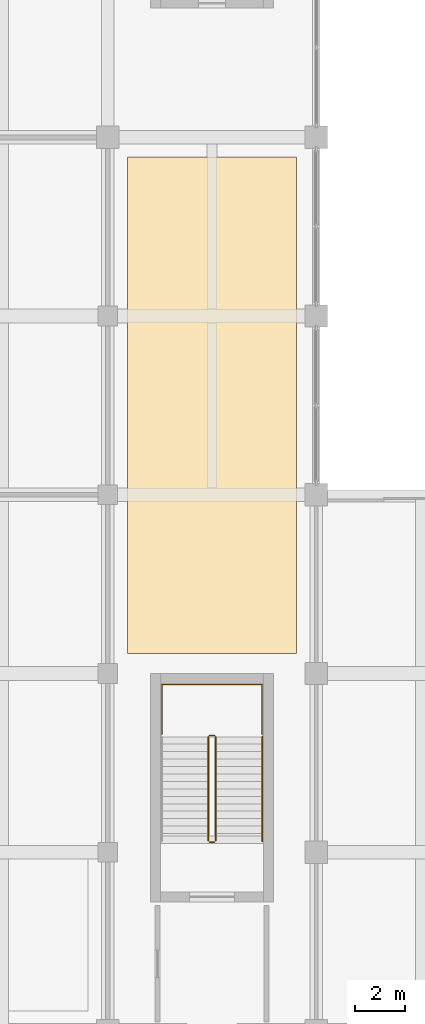
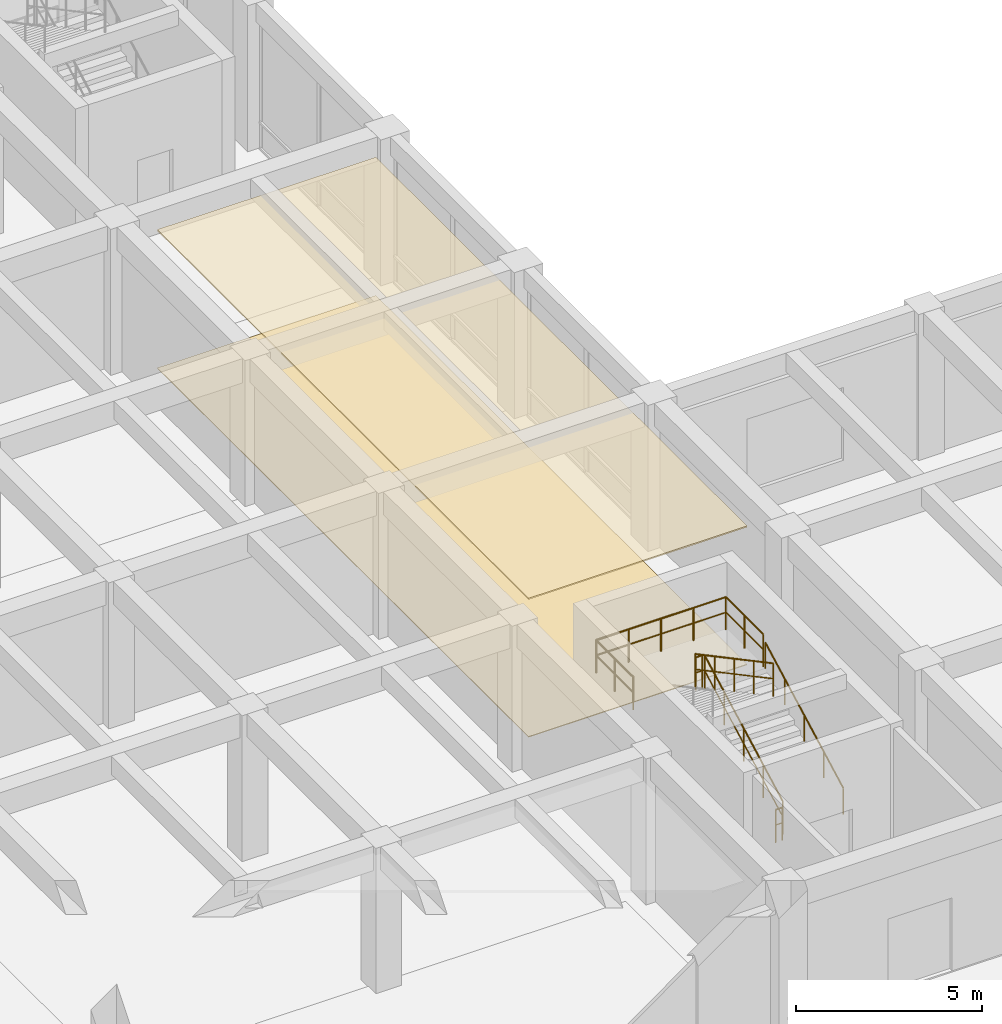
# One storey, part 41 of 49: 6 railings, 2 coverings.
"""IFC4 building model written with IfcOpenShell, lengths in metres."""

from ifc_helpers import new_model, si_unit, direction, frame, origin, origin_2d, place, context, subcontext, project, spatial, polyline, circle, outline, extrude, material, layer, layer_set, type_object, element, save


model = new_model("IFC4")

# Units and contexts
model_context = context("Model", 3, precision=1e-05, world=origin(), true_north=direction((0.0, 1.0)))
body_context = subcontext(model_context, "Body", "Model", "MODEL_VIEW")
ifc_project = project(units=[si_unit("LENGTHUNIT", "METRE"), si_unit("AREAUNIT", "SQUARE_METRE"), si_unit("VOLUMEUNIT", "CUBIC_METRE"), si_unit("PLANEANGLEUNIT", "RADIAN"), si_unit("MASSUNIT", "GRAM", prefix="KILO")], contexts=[model_context])

# Site, building, storey
site_placement = place(None, origin())
site = spatial("IfcSite", under=ifc_project, at=site_placement, CompositionType="ELEMENT")
building_placement = place(site_placement, origin())
building = spatial("IfcBuilding", under=site, at=building_placement, Name="Kenerak Square Central Library", CompositionType="ELEMENT")
storey_placement = place(building_placement, origin())
storey = spatial("IfcBuildingStorey", under=building, at=storey_placement, Name="L00", CompositionType="ELEMENT", Elevation=0.0)

# Coverings
ifc_material_1 = material(Name="Chengal hardwood timber SG1", Category="wood")
ifc_layer_1 = layer(ifc_material_1, 0.044921875)
ifc_layer_set_1 = layer_set([ifc_layer_1], Name="Chengal hardwood timber SG1")
covering_type_1 = type_object("IfcCoveringType", Name="Perforated Chengal Acoustic Ceiling CV-CEIL", PredefinedType="CEILING", material=ifc_layer_set_1)
covering_1_placement = place(storey_placement, frame((0.0, 0.0, 4.530029296875)))
element("IfcCovering", 1, at=covering_1_placement, inside=storey, type_object=covering_type_1, Name="Acoustic Ceiling L00-26", PredefinedType="CEILING", context=body_context, shape_type="SweptSolid", body=[
    extrude(outline(polyline([(109.60009765625, 52.0), (116.39990234375, 52.0), (116.39990234375, 32.0), (109.60009765625, 32.0), (109.60009765625, 52.0)])), origin(), (0.0, 0.0, 1.0), 0.044921875),
])
ifc_material_2 = material(Name="Polished granite aggregate terrazzo", Category="masonry")
ifc_layer_2 = layer(ifc_material_2, 0.02490234375)
ifc_layer_set_2 = layer_set([ifc_layer_2], Name="Polished granite aggregate terrazzo")
covering_type_2 = type_object("IfcCoveringType", Name="Polished Terrazzo Reading Floor Finish CV-FLR", PredefinedType="FLOORING", material=ifc_layer_set_2)
covering_2_placement = place(storey_placement, origin())
element("IfcCovering", 2, at=covering_2_placement, inside=storey, type_object=covering_type_2, Name="Terrazzo Floor Finish L00-26", PredefinedType="FLOORING", context=body_context, shape_type="SweptSolid", body=[
    extrude(outline(polyline([(109.60009765625, 52.0), (116.39990234375, 52.0), (116.39990234375, 32.0), (109.60009765625, 32.0), (109.60009765625, 52.0)])), origin(), (0.0, 0.0, 1.0), 0.02490234375),
])

# Railings
ifc_material_3 = material(Name="Steel S355", Category="steel")
railing_type_1 = type_object("IfcRailingType", Name="Safety Guardrail GR-1100 S355", PredefinedType="GUARDRAIL", material=ifc_material_3)
railing_1_placement = place(storey_placement, frame((113.14990234375, 24.449951171875, 0.159912109375)))
element("IfcRailing", 3, at=railing_1_placement, inside=storey, type_object=railing_type_1, Name="L00 ST-05 stair guard 1", PredefinedType="GUARDRAIL", context=body_context, shape_type="SweptSolid", body=[
    extrude(circle(Radius=0.02392578125, at=origin_2d()), frame((0.0, 0.0, 1.076171875), z_axis=(0.0, 0.882351521365, 0.470590897432), x_axis=(-1.0, 0.0, 0.0)), (0.0, 0.0, 1.0), 4.760009765625),
    extrude(circle(Radius=0.01806640625, at=origin_2d()), frame((0.0, 0.0, 0.572021484375), z_axis=(0.0, 0.882351521365, 0.470590897432), x_axis=(-1.0, 0.0, 0.0)), (0.0, 0.0, 1.0), 4.760009765625),
    extrude(circle(Radius=0.02099609375, at=origin_2d()), origin(), (0.0, 0.0, 1.0), 1.052001953125),
    extrude(circle(Radius=0.02099609375, at=origin_2d()), frame((0.0, 1.050048828125, 0.56005859375)), (0.0, 0.0, 1.0), 1.052001953125),
    extrude(circle(Radius=0.02099609375, at=origin_2d()), frame((0.0, 2.10009765625, 1.1201171875)), (0.0, 0.0, 1.0), 1.052001953125),
    extrude(circle(Radius=0.02099609375, at=origin_2d()), frame((0.0, 3.14990234375, 1.679931640625)), (0.0, 0.0, 1.0), 1.052001953125),
    extrude(circle(Radius=0.02099609375, at=origin_2d()), frame((0.0, 4.199951171875, 2.239990234375)), (0.0, 0.0, 1.0), 1.052001953125),
])
railing_2_placement = place(storey_placement, frame((113.10009765625, 28.699951171875, 2.39990234375)))
element("IfcRailing", 4, at=railing_2_placement, inside=storey, type_object=railing_type_1, Name="L00 ST-05 stair guard 2", PredefinedType="GUARDRAIL", context=body_context, shape_type="SweptSolid", body=[
    extrude(circle(Radius=0.02392578125, at=origin_2d()), frame((0.0, 0.0, 1.076171875), z_axis=(-1.0, 0.0, 0.0), x_axis=(0.0, -1.0, 0.0)), (0.0, 0.0, 1.0), 0.2001953125),
    extrude(circle(Radius=0.01806640625, at=origin_2d()), frame((0.0, 0.0, 0.572021484375), z_axis=(-1.0, 0.0, 0.0), x_axis=(0.0, -1.0, 0.0)), (0.0, 0.0, 1.0), 0.2001953125),
    extrude(circle(Radius=0.02099609375, at=origin_2d()), origin(), (0.0, 0.0, 1.0), 1.052001953125),
    extrude(circle(Radius=0.02099609375, at=origin_2d()), frame((-0.2001953125, 0.0, 0.0)), (0.0, 0.0, 1.0), 1.052001953125),
])
railing_3_placement = place(storey_placement, frame((112.85009765625, 28.64990234375, 2.56005859375)))
element("IfcRailing", 5, at=railing_3_placement, inside=storey, type_object=railing_type_1, Name="L00 ST-05 stair guard 3", PredefinedType="GUARDRAIL", context=body_context, shape_type="SweptSolid", body=[
    extrude(circle(Radius=0.02392578125, at=origin_2d()), frame((0.0, 0.0, 1.076171875), z_axis=(0.0, -0.882351521365, 0.470590897432), x_axis=(1.0, 0.0, 0.0)), (0.0, 0.0, 1.0), 4.760009765625),
    extrude(circle(Radius=0.01806640625, at=origin_2d()), frame((0.0, 0.0, 0.572021484375), z_axis=(0.0, -0.882351521365, 0.470590897432), x_axis=(1.0, 0.0, 0.0)), (0.0, 0.0, 1.0), 4.760009765625),
    extrude(circle(Radius=0.02099609375, at=origin_2d()), origin(), (0.0, 0.0, 1.0), 1.052001953125),
    extrude(circle(Radius=0.02099609375, at=origin_2d()), frame((0.0, -1.050048828125, 0.56005859375)), (0.0, 0.0, 1.0), 1.052001953125),
    extrude(circle(Radius=0.02099609375, at=origin_2d()), frame((0.0, -2.10009765625, 1.1201171875)), (0.0, 0.0, 1.0), 1.052001953125),
    extrude(circle(Radius=0.02099609375, at=origin_2d()), frame((0.0, -3.14990234375, 1.679931640625)), (0.0, 0.0, 1.0), 1.052001953125),
    extrude(circle(Radius=0.02099609375, at=origin_2d()), frame((0.0, -4.199951171875, 2.239990234375)), (0.0, 0.0, 1.0), 1.052001953125),
])
railing_4_placement = place(storey_placement, frame((113.10009765625, 24.39990234375, 0.0)))
element("IfcRailing", 6, at=railing_4_placement, inside=storey, type_object=railing_type_1, Name="L00 ST-05 stair guard 4", PredefinedType="GUARDRAIL", context=body_context, shape_type="SweptSolid", body=[
    extrude(circle(Radius=0.02392578125, at=origin_2d()), frame((0.0, 0.0, 1.076171875), z_axis=(-1.0, 0.0, 0.0), x_axis=(0.0, -1.0, 0.0)), (0.0, 0.0, 1.0), 0.2001953125),
    extrude(circle(Radius=0.01806640625, at=origin_2d()), frame((0.0, 0.0, 0.572021484375), z_axis=(-1.0, 0.0, 0.0), x_axis=(0.0, -1.0, 0.0)), (0.0, 0.0, 1.0), 0.2001953125),
    extrude(circle(Radius=0.02099609375, at=origin_2d()), origin(), (0.0, 0.0, 1.0), 1.052001953125),
    extrude(circle(Radius=0.02099609375, at=origin_2d()), frame((-0.2001953125, 0.0, 0.0)), (0.0, 0.0, 1.0), 1.052001953125),
])
railing_5_placement = place(storey_placement, frame((110.97998046875, 28.75, 2.39990234375)))
element("IfcRailing", 7, at=railing_5_placement, inside=storey, type_object=railing_type_1, Name="Stair Half-Landing Guard ST-05 L00", PredefinedType="GUARDRAIL", context=body_context, shape_type="SweptSolid", body=[
    extrude(circle(Radius=0.02392578125, at=origin_2d()), frame((0.0, 0.0, 1.076171875), z_axis=(0.0, 1.0, 0.0), x_axis=(-1.0, 0.0, 0.0)), (0.0, 0.0, 1.0), 2.0),
    extrude(circle(Radius=0.01806640625, at=origin_2d()), frame((0.0, 0.0, 0.572021484375), z_axis=(0.0, 1.0, 0.0), x_axis=(-1.0, 0.0, 0.0)), (0.0, 0.0, 1.0), 2.0),
    extrude(circle(Radius=0.02392578125, at=origin_2d()), frame((0.0, 2.0, 1.076171875), z_axis=(1.0, 0.0, 0.0), x_axis=(0.0, 1.0, 0.0)), (0.0, 0.0, 1.0), 4.0400390625),
    extrude(circle(Radius=0.01806640625, at=origin_2d()), frame((0.0, 2.0, 0.572021484375), z_axis=(1.0, 0.0, 0.0), x_axis=(0.0, 1.0, 0.0)), (0.0, 0.0, 1.0), 4.0400390625),
    extrude(circle(Radius=0.02392578125, at=origin_2d()), frame((4.0400390625, 2.0, 1.076171875), z_axis=(0.0, -1.0, 0.0), x_axis=(1.0, 0.0, 0.0)), (0.0, 0.0, 1.0), 2.0),
    extrude(circle(Radius=0.01806640625, at=origin_2d()), frame((4.0400390625, 2.0, 0.572021484375), z_axis=(0.0, -1.0, 0.0), x_axis=(1.0, 0.0, 0.0)), (0.0, 0.0, 1.0), 2.0),
    extrude(circle(Radius=0.02099609375, at=origin_2d()), origin(), (0.0, 0.0, 1.0), 1.052001953125),
    extrude(circle(Radius=0.02099609375, at=origin_2d()), frame((0.0, 1.0, 0.0)), (0.0, 0.0, 1.0), 1.052001953125),
    extrude(circle(Radius=0.02099609375, at=origin_2d()), frame((0.0, 2.0, 0.0)), (0.0, 0.0, 1.0), 1.052001953125),
    extrude(circle(Radius=0.02099609375, at=origin_2d()), frame((1.010009765625, 2.0, 0.0)), (0.0, 0.0, 1.0), 1.052001953125),
    extrude(circle(Radius=0.02099609375, at=origin_2d()), frame((2.02001953125, 2.0, 0.0)), (0.0, 0.0, 1.0), 1.052001953125),
    extrude(circle(Radius=0.02099609375, at=origin_2d()), frame((3.030029296875, 2.0, 0.0)), (0.0, 0.0, 1.0), 1.052001953125),
    extrude(circle(Radius=0.02099609375, at=origin_2d()), frame((4.0400390625, 2.0, 0.0)), (0.0, 0.0, 1.0), 1.052001953125),
    extrude(circle(Radius=0.02099609375, at=origin_2d()), frame((4.0400390625, 1.0, 0.0)), (0.0, 0.0, 1.0), 1.052001953125),
    extrude(circle(Radius=0.02099609375, at=origin_2d()), frame((4.0400390625, 0.0, 0.0)), (0.0, 0.0, 1.0), 1.052001953125),
])
railing_type_2 = type_object("IfcRailingType", Name="Stair Handrail HR-880 S355", PredefinedType="HANDRAIL", material=ifc_material_3)
railing_6_placement = place(storey_placement, frame((115.030029296875, 24.449951171875, 0.159912109375)))
element("IfcRailing", 8, at=railing_6_placement, inside=storey, type_object=railing_type_2, Name="L00 ST-05 stair handrail 1", PredefinedType="HANDRAIL", context=body_context, shape_type="SweptSolid", body=[
    extrude(circle(Radius=0.02392578125, at=origin_2d()), frame((0.0, 0.0, 0.85595703125), z_axis=(0.0, 0.882351521365, 0.470590897432), x_axis=(-1.0, 0.0, 0.0)), (0.0, 0.0, 1.0), 4.760009765625),
    extrude(circle(Radius=0.02099609375, at=origin_2d()), origin(), (0.0, 0.0, 1.0), 0.831787109375),
    extrude(circle(Radius=0.02099609375, at=origin_2d()), frame((0.0, 1.050048828125, 0.56005859375)), (0.0, 0.0, 1.0), 0.831787109375),
    extrude(circle(Radius=0.02099609375, at=origin_2d()), frame((0.0, 2.10009765625, 1.1201171875)), (0.0, 0.0, 1.0), 0.831787109375),
    extrude(circle(Radius=0.02099609375, at=origin_2d()), frame((0.0, 3.14990234375, 1.679931640625)), (0.0, 0.0, 1.0), 0.831787109375),
    extrude(circle(Radius=0.02099609375, at=origin_2d()), frame((0.0, 4.199951171875, 2.239990234375)), (0.0, 0.0, 1.0), 0.831787109375),
])

save(model, "model.ifc")
